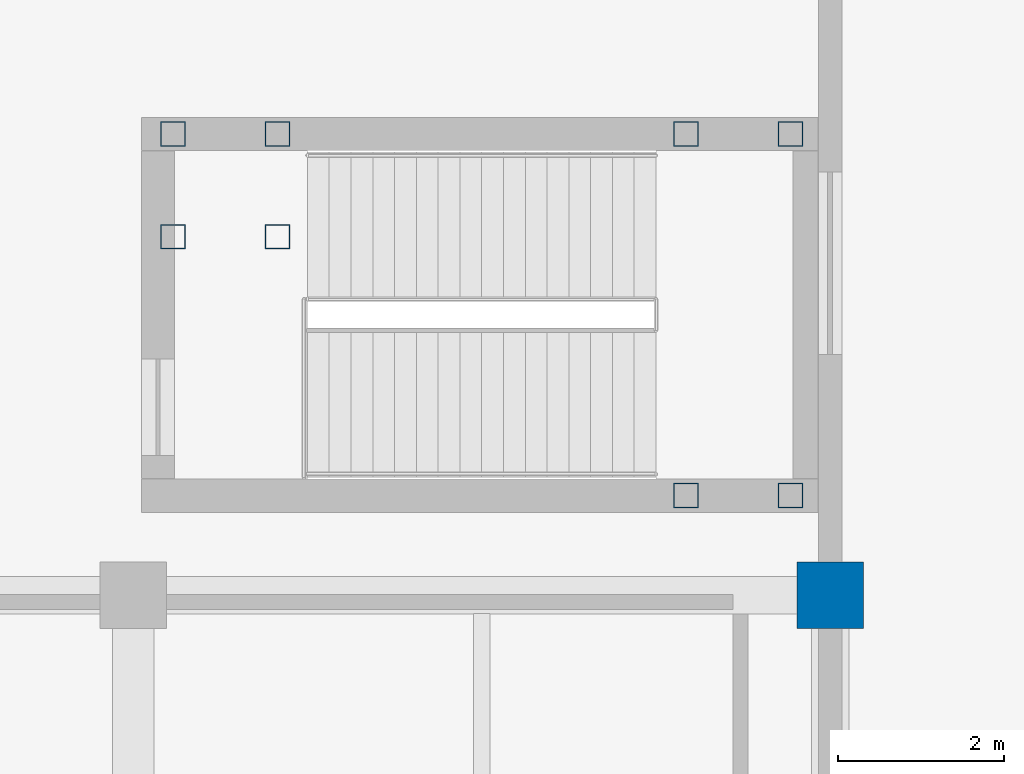
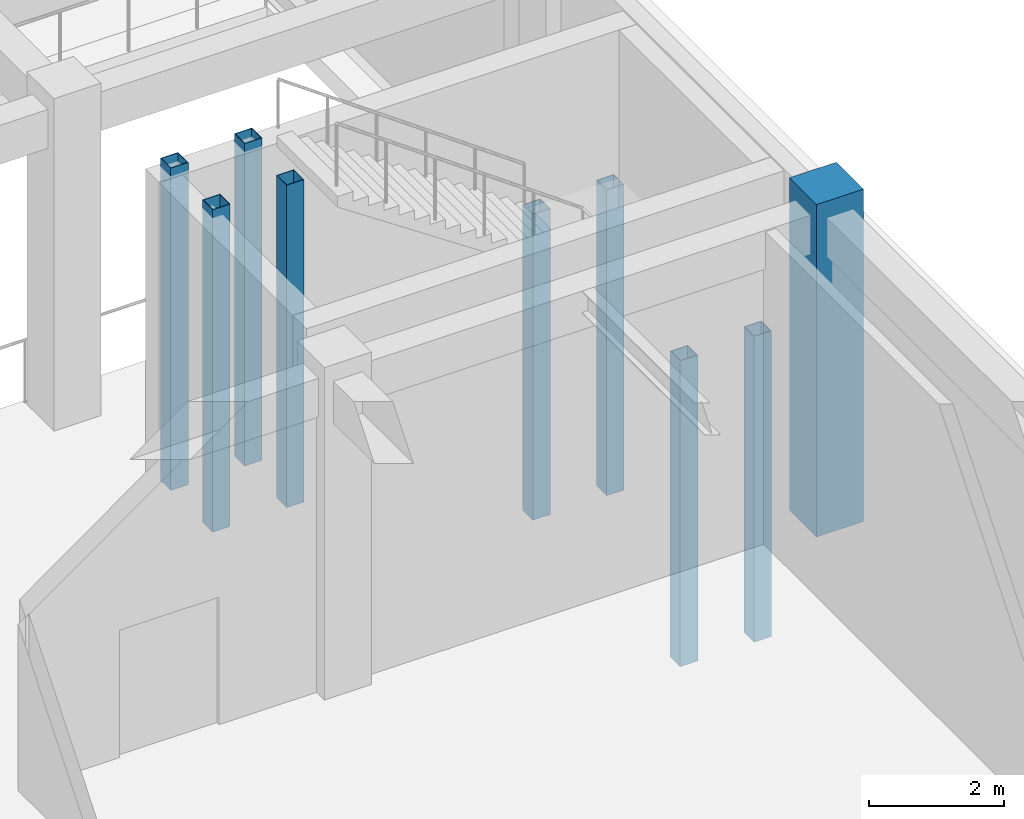
# One storey, part 8 of 76: 9 columns.
"""IFC4 building model written with IfcOpenShell, lengths in metres."""

import ifcopenshell
import ifcopenshell.guid

model = None  # the IFC model being written
_history = None  # IfcOwnerHistory: only IFC2X3 demands one
_inside = {}  # id of a spatial element -> (the spatial element, [elements in it])
_under = {}  # id of a project, library or spatial element -> (it, [spatial elements below it])
_declared = {}  # id of a project -> (the project, [libraries it declares])
_typed = {}  # id of a type object -> (the type object, [elements of that type])
_made_of = {}  # id of a material, layer set ... -> (it, [elements and type objects made of it])


def new_model(schema):
    """Start an empty IFC model of exactly this schema.

    Asked for "IFC4X3", IfcOpenShell would pick the latest addendum, in which some entities
    have other attributes; the version numbers below select the first issue.
    IFC2X3 requires an IfcOwnerHistory on every rooted entity: one is made here for all.
    """
    global model, _history
    if schema == "IFC4X3":
        model = ifcopenshell.file(schema_version=(4, 3, 0, 0))
    else:
        model = ifcopenshell.file(schema=schema)
    _inside.clear()
    _under.clear()
    _declared.clear()
    _typed.clear()
    _made_of.clear()
    _history = None
    if model.schema == "IFC2X3":
        org = make("IfcOrganization", Name="unknown")
        user = make(
            "IfcPersonAndOrganization",
            ThePerson=make("IfcPerson", FamilyName="unknown"),
            TheOrganization=org,
        )
        app = make(
            "IfcApplication",
            ApplicationDeveloper=org,
            Version="unknown",
            ApplicationFullName="unknown",
            ApplicationIdentifier="unknown",
        )
        _history = make(
            "IfcOwnerHistory",
            OwningUser=user,
            OwningApplication=app,
            ChangeAction="ADDED",
            CreationDate=0,
        )
    return model


def make(cls, **values):
    """One entity of the class cls with the attributes given. An attribute that is None is left unset."""
    return model.create_entity(
        cls, **{name: value for name, value in values.items() if value is not None}
    )


def rooted(cls, **values):
    """An entity with a GlobalId (a new one), such as an element, a storey or a relation."""
    return make(cls, GlobalId=ifcopenshell.guid.new(), OwnerHistory=_history, **values)


def si_unit(unit_type, name, prefix=None):
    """IfcSIUnit, for example si_unit("LENGTHUNIT", "METRE", prefix="MILLI")."""
    return make("IfcSIUnit", UnitType=unit_type, Prefix=prefix, Name=name)


def assignment(units):
    """IfcUnitAssignment: the units of a project."""
    return None if units is None else make("IfcUnitAssignment", Units=units)


def point(xyz):
    """IfcCartesianPoint."""
    return None if xyz is None else make("IfcCartesianPoint", Coordinates=xyz)


def direction(xyz):
    """IfcDirection."""
    return None if xyz is None else make("IfcDirection", DirectionRatios=xyz)


def frame(location, z_axis=None, x_axis=None):
    """IfcAxis2Placement3D, a coordinate frame: its origin and axes. An axis left out is left unset."""
    return make(
        "IfcAxis2Placement3D",
        Location=point(location),
        Axis=direction(z_axis),
        RefDirection=direction(x_axis),
    )


def frame_2d(location, x_axis=None):
    """IfcAxis2Placement2D, a coordinate frame in the plane: its origin and x axis."""
    return make(
        "IfcAxis2Placement2D", Location=point(location), RefDirection=direction(x_axis)
    )


def origin():
    """The frame at (0, 0, 0) with its axes left unset."""
    return frame((0.0, 0.0, 0.0))


def origin_2d():
    """The frame at (0, 0) in the plane with its x axis left unset."""
    return frame_2d((0.0, 0.0))


def place(relative_to, where):
    """IfcLocalPlacement: puts the frame where relative to a parent placement (None: the world)."""
    return make(
        "IfcLocalPlacement", PlacementRelTo=relative_to, RelativePlacement=where
    )


def context(
    kind, dimensions, precision=None, world=None, true_north=None, identifier=None
):
    """IfcGeometricRepresentationContext, for example the 3D "Model" context."""
    return make(
        "IfcGeometricRepresentationContext",
        ContextIdentifier=identifier,
        ContextType=kind,
        CoordinateSpaceDimension=dimensions,
        Precision=precision,
        WorldCoordinateSystem=world,
        TrueNorth=true_north,
    )


def subcontext(parent, identifier, kind, view, scale=None):
    """IfcGeometricRepresentationSubContext, for example "Body" below "Model"."""
    return make(
        "IfcGeometricRepresentationSubContext",
        ContextIdentifier=identifier,
        ContextType=kind,
        ParentContext=parent,
        TargetScale=scale,
        TargetView=view,
    )


def project(units=None, contexts=None):
    """IfcProject with its units and contexts."""
    return rooted(
        "IfcProject",
        Name="project",
        RepresentationContexts=contexts,
        UnitsInContext=assignment(units),
    )


def spatial(cls, under=None, at=None, **own):
    """A site, building, storey or space (cls), placed at a placement, below another one or the project."""
    s = rooted(cls, ObjectPlacement=at, **own)
    if under is not None:
        _under.setdefault(under.id(), (under, []))[1].append(s)
    return s


def profile(cls, at=None, kind="AREA", **sizes):
    """A parametric profile (cls). Its sizes go by their IFC names, for example OverallWidth=200.0."""
    return make(cls, ProfileType=kind, Position=at, **sizes)


def rectangle(**sizes):
    """IfcRectangleProfileDef."""
    return profile("IfcRectangleProfileDef", **sizes)


def hollow_rectangle(**sizes):
    """IfcRectangleHollowProfileDef."""
    return profile("IfcRectangleHollowProfileDef", **sizes)


def extrude(swept, where, along, depth):
    """IfcExtrudedAreaSolid: the profile swept, set in the frame where, extruded along a direction by depth."""
    return make(
        "IfcExtrudedAreaSolid",
        SweptArea=swept,
        Position=where,
        ExtrudedDirection=direction(along),
        Depth=depth,
    )


def shape(context_of_items, identifier, shape_type, items):
    """IfcShapeRepresentation: the items that make up one representation, for example the "Body"."""
    return make(
        "IfcShapeRepresentation",
        ContextOfItems=context_of_items,
        RepresentationIdentifier=identifier,
        RepresentationType=shape_type,
        Items=items,
    )


def material(Name=None, Category=None):
    """IfcMaterial."""
    return make("IfcMaterial", Name=Name, Category=Category)


def material_profile(
    of_material, cross_section, Name=None, Category=None, Priority=None
):
    """IfcMaterialProfile: a cross section and its material."""
    return make(
        "IfcMaterialProfile",
        Name=Name,
        Material=of_material,
        Profile=cross_section,
        Priority=Priority,
        Category=Category,
    )


def profile_set(profiles, Name=None, composite=None):
    """IfcMaterialProfileSet."""
    return make(
        "IfcMaterialProfileSet",
        Name=Name,
        MaterialProfiles=profiles,
        CompositeProfile=composite,
    )


def made_of(thing, what):
    """Note that an element or type object is made of a material, layer set ...; save() writes the relation."""
    if what is not None:
        _made_of.setdefault(what.id(), (what, []))[1].append(thing)
    return thing


def type_object(cls, material=None, **own):
    """A type object (cls), such as IfcWallType, which elements share."""
    return made_of(rooted(cls, **own), material)


def element(
    cls,
    number,
    at=None,
    inside=None,
    cuts=None,
    type_object=None,
    material=None,
    context=None,
    identifier="Body",
    shape_type=None,
    held_by="IfcProductDefinitionShape",
    body=None,
    shapes=None,
    **own,
):
    """One element of the class cls, such as IfcWall. Its Tag is "e" and its number.

    at: its placement. inside: the storey or other place that contains it. cuts: it is an
    opening in that element (IfcRelVoidsElement). A single representation is given by context,
    identifier, shape_type and body (its items); several are given by shapes. held_by: the class
    of the entity that holds the representations. save() writes the other relations.
    """
    e = rooted(cls, Tag="e%d" % number, ObjectPlacement=at, **own)
    if body is not None:
        shapes = [shape(context, identifier, shape_type, body)]
    if shapes is not None:
        e.Representation = make(held_by, Representations=shapes)
    if inside is not None:
        _inside.setdefault(inside.id(), (inside, []))[1].append(e)
    if cuts is not None:
        rooted(
            "IfcRelVoidsElement", RelatingBuildingElement=cuts, RelatedOpeningElement=e
        )
    if type_object is not None:
        _typed.setdefault(type_object.id(), (type_object, []))[1].append(e)
    return made_of(e, material)


def aggregate(whole, parts):
    """IfcRelAggregates: a whole, such as a stair, and the parts it consists of."""
    return rooted("IfcRelAggregates", RelatingObject=whole, RelatedObjects=parts)


def save(model, path):
    """Write the relations noted so far, then the file.

    IfcRelAggregates (storeys below a building ...), IfcRelContainedInSpatialStructure (elements
    in a storey), IfcRelDefinesByType, IfcRelAssociatesMaterial and IfcRelDeclares: one each for
    every whole, place, type object, material and project.
    """
    for whole, parts in _under.values():
        aggregate(whole, parts)
    for where, things in _inside.values():
        rooted(
            "IfcRelContainedInSpatialStructure",
            RelatedElements=things,
            RelatingStructure=where,
        )
    for kind, things in _typed.values():
        rooted("IfcRelDefinesByType", RelatedObjects=things, RelatingType=kind)
    for what, things in _made_of.values():
        rooted("IfcRelAssociatesMaterial", RelatedObjects=things, RelatingMaterial=what)
    for by, libraries in _declared.values():
        rooted("IfcRelDeclares", RelatingContext=by, RelatedDefinitions=libraries)
    model.write(path)


model = new_model("IFC4")

# Units and contexts
model_context = context("Model", 3, precision=1e-05, world=origin(), true_north=direction((0.0, 1.0)))
body_context = subcontext(model_context, "Body", "Model", "MODEL_VIEW")
ifc_project = project(units=[si_unit("LENGTHUNIT", "METRE"), si_unit("AREAUNIT", "SQUARE_METRE"), si_unit("VOLUMEUNIT", "CUBIC_METRE"), si_unit("PLANEANGLEUNIT", "RADIAN"), si_unit("MASSUNIT", "GRAM", prefix="KILO")], contexts=[model_context])

# Site, building, storey
site_placement = place(None, origin())
site = spatial("IfcSite", under=ifc_project, at=site_placement, CompositionType="ELEMENT")
building_placement = place(site_placement, origin())
building = spatial("IfcBuilding", under=site, at=building_placement, Name="Naruveol Harbour Congress Hotel", CompositionType="ELEMENT")
storey_placement = place(building_placement, origin())
storey = spatial("IfcBuildingStorey", under=building, at=storey_placement, Name="L00", CompositionType="ELEMENT", Elevation=0.0)

# Columns
ifc_material_1 = material(Name="Concrete C50/60", Category="concrete")
ifc_material_profile_1 = material_profile(ifc_material_1, rectangle(XDim=0.800048828125, YDim=0.800048828125, at=origin_2d()), Name="RC-800x800")
ifc_profile_set_1 = profile_set([ifc_material_profile_1], Name="Concrete C50/60")
column_type_1 = type_object("IfcColumnType", Name="RC PODIUM COLUMN 800X800", PredefinedType="COLUMN", material=ifc_profile_set_1)
column_placement = place(storey_placement, frame((126.0, 56.0, 0.0), z_axis=(0.0, 0.0, 1.0), x_axis=(1.0, 0.0, 0.0)))
element("IfcColumn", 1, at=column_placement, inside=storey, type_object=column_type_1, Name="Column C-800 L00 (126.0,56.0)", PredefinedType="COLUMN", context=body_context, shape_type="SweptSolid", body=[
    extrude(rectangle(XDim=0.800048828125, YDim=0.800048828125, at=origin_2d()), origin(), (0.0, 0.0, 1.0), 6.0),
])
ifc_material_2 = material(Name="Steel SN490", Category="steel")
ifc_material_profile_2 = material_profile(ifc_material_2, hollow_rectangle(XDim=0.300048828125, YDim=0.300048828125, WallThickness=0.011962890625, at=origin_2d()), Name="SHS-300x300x12")
ifc_profile_set_2 = profile_set([ifc_material_profile_2], Name="Steel SN490")
column_type_2 = type_object("IfcColumnType", Name="STEEL COLONNADE POST SHS300", PredefinedType="COLUMN", material=ifc_profile_set_2)
for number, where, z_axis, x_axis, name in (
    (2, (118.080078125, 60.320068359375, 0.0), (0.0, 0.0, 1.0), (1.0, 0.0, 0.0), "Stair landing support post ST9W #426"),
    (3, (118.080078125, 61.56005859375, 0.0), (0.0, 0.0, 1.0), (1.0, 0.0, 0.0), "Stair landing support post ST9W #430"),
    (4, (119.340087890625, 60.320068359375, 0.0), (0.0, 0.0, 1.0), (1.0, 0.0, 0.0), "Stair landing support post ST9W #434"),
    (5, (119.340087890625, 61.56005859375, 0.0), (0.0, 0.0, 1.0), (1.0, 0.0, 0.0), "Stair landing support post ST9W #438"),
):
    element("IfcColumn", number, at=place(storey_placement, frame(where, z_axis=z_axis, x_axis=x_axis)), inside=storey, type_object=column_type_2, Name=name, PredefinedType="COLUMN", context=body_context, shape_type="SweptSolid", body=[
        extrude(hollow_rectangle(XDim=0.300048828125, YDim=0.300048828125, WallThickness=0.011962890625, at=origin_2d()), origin(), (0.0, 0.0, 1.0), 5.820068359375),
    ])
for number, where, z_axis, x_axis, name in (
    (6, (124.260009765625, 57.199951171875, -2.699951171875), (0.0, 0.0, 1.0), (1.0, 0.0, 0.0), "Stair landing support post ST9E #442"),
    (7, (124.260009765625, 61.56005859375, -2.699951171875), (0.0, 0.0, 1.0), (1.0, 0.0, 0.0), "Stair landing support post ST9E #446"),
    (8, (125.52001953125, 57.199951171875, -2.699951171875), (0.0, 0.0, 1.0), (1.0, 0.0, 0.0), "Stair landing support post ST9E #450"),
    (9, (125.52001953125, 61.56005859375, -2.699951171875), (0.0, 0.0, 1.0), (1.0, 0.0, 0.0), "Stair landing support post ST9E #454"),
):
    element("IfcColumn", number, at=place(storey_placement, frame(where, z_axis=z_axis, x_axis=x_axis)), inside=storey, type_object=column_type_2, Name=name, PredefinedType="COLUMN", context=body_context, shape_type="SweptSolid", body=[
        extrude(hollow_rectangle(XDim=0.300048828125, YDim=0.300048828125, WallThickness=0.011962890625, at=origin_2d()), origin(), (0.0, 0.0, 1.0), 5.52001953125),
    ])

save(model, "model.ifc")
